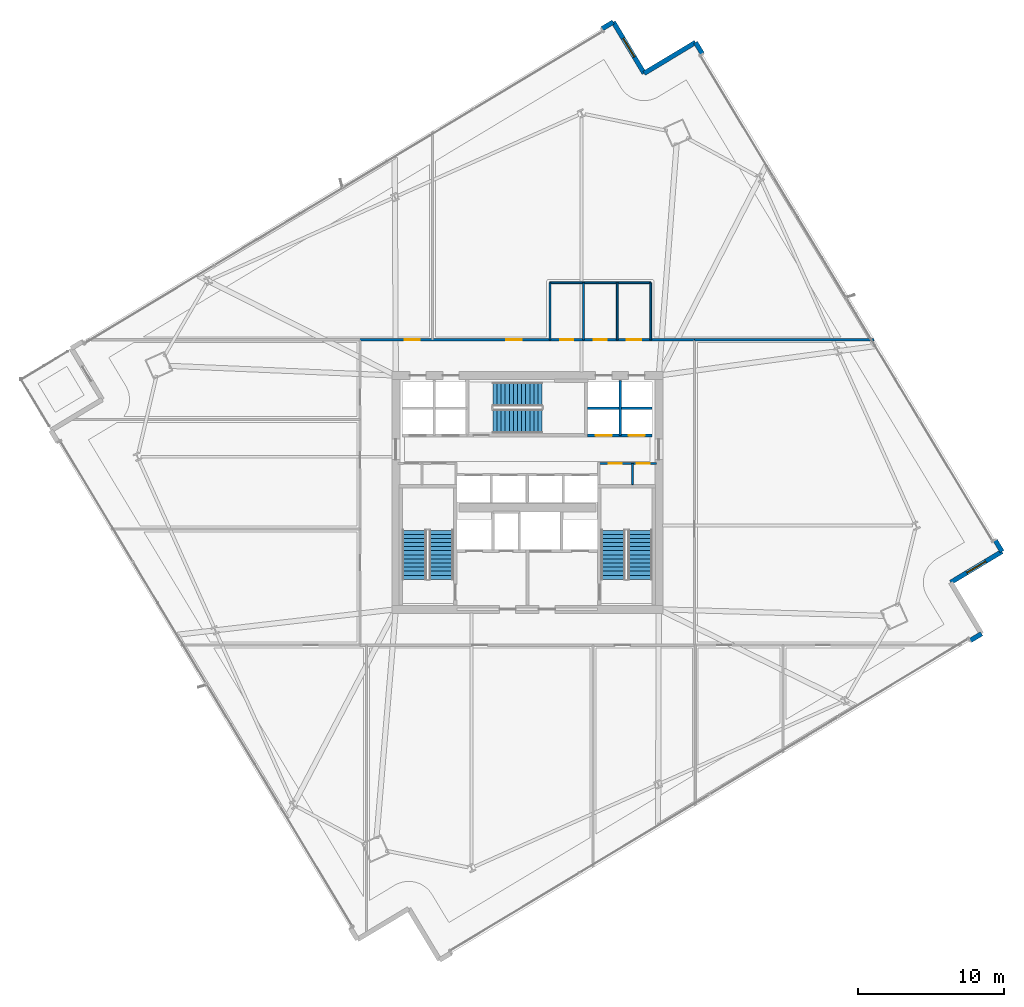
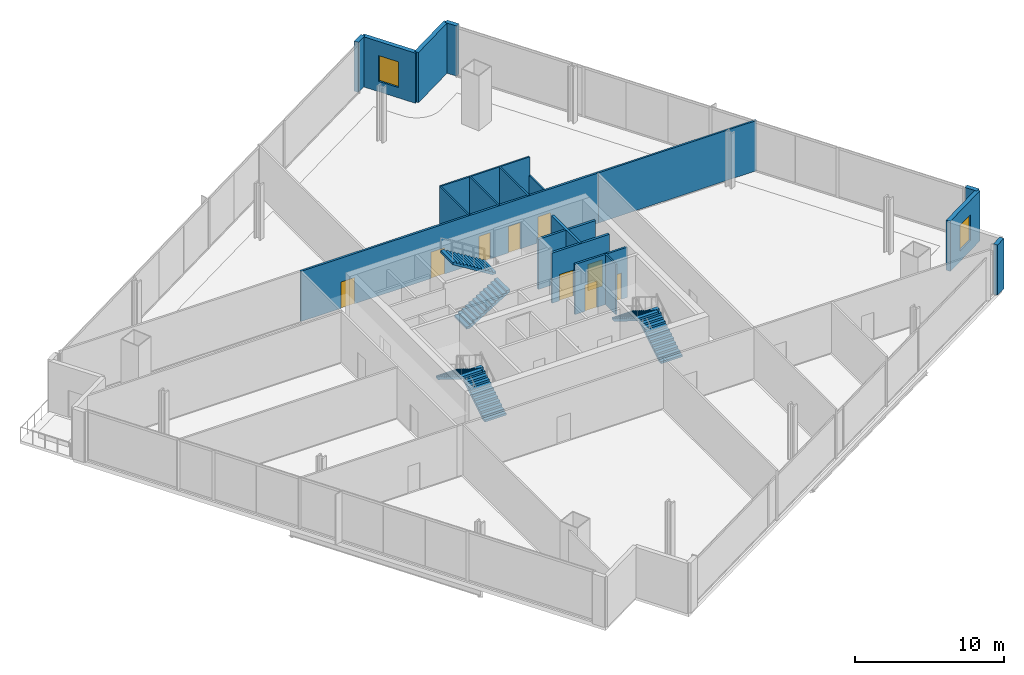
# One storey, part 25 of 30: 19 walls, 9 doors, 6 stair flights, 2 windows, 11 openings, 3 elements without a shape of their own.
"""IFC4 building model written with IfcOpenShell, lengths in metres."""

from ifc_helpers import new_model, si_unit, direction, frame, frame_2d, origin, place, context, subcontext, project, spatial, polyline, rectangle, outline, extrude, material, layer, layer_set, type_object, element, fill, aggregate, save


model = new_model("IFC4")

# Units and contexts
model_context = context("Model", 3, precision=1e-05, world=origin(), true_north=direction((0.0, 1.0)))
body_context = subcontext(model_context, "Body", "Model", "MODEL_VIEW")
ifc_project = project(units=[si_unit("LENGTHUNIT", "METRE"), si_unit("AREAUNIT", "SQUARE_METRE"), si_unit("VOLUMEUNIT", "CUBIC_METRE"), si_unit("PLANEANGLEUNIT", "RADIAN"), si_unit("MASSUNIT", "GRAM", prefix="KILO")], contexts=[model_context])

# Site, building, storey
site_placement = place(None, origin())
site = spatial("IfcSite", under=ifc_project, at=site_placement, CompositionType="ELEMENT")
building_placement = place(site_placement, origin())
building = spatial("IfcBuilding", under=site, at=building_placement, Name="Haldenkirk Collegiate Tower", CompositionType="ELEMENT")
storey_placement = place(building_placement, frame((0.0, 0.0, 131.699951171875)))
storey = spatial("IfcBuildingStorey", under=building, at=storey_placement, Name="L32", CompositionType="ELEMENT", Elevation=131.699951171875)

# Wall
ifc_material_1 = material(Name="Precast concrete f'c 40 MPa", Category="concrete")
ifc_layer_1 = layer(ifc_material_1, 0.320068359375)
ifc_layer_set_1 = layer_set([ifc_layer_1], Name="Precast concrete f'c 40 MPa")
wall_type_1 = type_object("IfcWallType", Name="WL-EXT-TWR-320", PredefinedType="STANDARD", material=ifc_layer_set_1)
wall_1_placement = place(storey_placement, frame((67.094482421875, 16.3271484375, 0.0), z_axis=(0.0, 0.0, 1.0), x_axis=(-0.856630082839, -0.51593110119, 0.0)))
element("IfcWall", 1, at=wall_1_placement, inside=storey, type_object=wall_type_1, Name="L32 precast corner pier SL", PredefinedType="STANDARD", context=body_context, shape_type="SweptSolid", body=[
    extrude(rectangle(XDim=0.900146484375, YDim=0.320068359375, at=frame_2d((0.4501953125, 0.0))), origin(), (0.0, 0.0, 1.0), 4.10009765625),
])

# Wall, opening, window
wall_2_placement = place(storey_placement, frame((68.4921875, 21.954345703125, 0.0), z_axis=(0.0, 0.0, 1.0), x_axis=(-0.856709059274, -0.515799949359, 0.0)))
wall_2 = element("IfcWall", 2, at=wall_2_placement, inside=storey, type_object=wall_type_1, Name="L32 bronze precast notch wall 03", PredefinedType="STANDARD", context=body_context, shape_type="SweptSolid", body=[
    extrude(rectangle(XDim=4.099853515625, YDim=0.320068359375, at=frame_2d((2.0498046875, 0.0))), origin(), (0.0, 0.0, 1.0), 4.10009765625),
])
opening_1_placement = place(wall_2_placement, frame((1.300048828125, 0.0, 0.85009765625)))
opening_1 = element("IfcOpeningElement", 3, at=opening_1_placement, cuts=wall_2, Name="Opening W-04", PredefinedType="OPENING", context=body_context, shape_type="SweptSolid", body=[
    extrude(rectangle(XDim=1.5, YDim=2.10009765625, at=frame_2d((0.75, 1.050048828125))), frame((0.0, 0.169921875, 0.0), z_axis=(0.0, -1.0, 0.0), x_axis=(1.0, 0.0, 0.0)), (0.0, 0.0, 1.0), 0.340087890625),
])
ifc_material_2 = material(Name="Low-E argon triple insulating glass", Category="glass")
ifc_layer_2 = layer(ifc_material_2, 0.090087890625)
ifc_layer_set_2 = layer_set([ifc_layer_2], Name="Low-E argon triple insulating glass")
window_type = type_object("IfcWindowType", Name="WN-Z2-1500X2100", PartitioningType="SINGLE_PANEL", PredefinedType="WINDOW", material=ifc_layer_set_2)
window_1_placement = place(opening_1_placement, origin())
window_1 = element("IfcWindow", 4, at=window_1_placement, inside=storey, type_object=window_type, Name="L32 precast-frame academic window 2", OverallHeight=2.10009765625, OverallWidth=1.5, PartitioningType="SINGLE_PANEL", PredefinedType="WINDOW", context=body_context, shape_type="SweptSolid", body=[
    extrude(rectangle(XDim=1.5, YDim=2.10009765625, at=frame_2d((0.75, 1.050048828125))), frame((0.0, 0.030029296875, 0.0), z_axis=(0.0, -1.0, 0.0), x_axis=(1.0, 0.0, 0.0)), (0.0, 0.0, 1.0), 0.06005859375),
])
fill(opening_1, window_1)

# Walls
for number, where, z_axis, x_axis, name in (
    (5, (47.5126953125, 56.801513671875, 0.0), (0.0, 0.0, 1.0), (0.515732006809, -0.856749961863, 0.0), "L32 precast corner pier EL"),
    (6, (68.028076171875, 22.725341796875, 0.0), (0.0, 0.0, 1.0), (0.515732006809, -0.856749961863, 0.0), "L32 precast corner pier ER"),
):
    element("IfcWall", number, at=place(storey_placement, frame(where, z_axis=z_axis, x_axis=x_axis)), inside=storey, type_object=wall_type_1, Name=name, PredefinedType="STANDARD", context=body_context, shape_type="SweptSolid", body=[
        extrude(rectangle(XDim=0.89990234375, YDim=0.320068359375, at=frame_2d((0.449951171875, 0.0))), origin(), (0.0, 0.0, 1.0), 4.10009765625),
    ])
wall_3_placement = place(storey_placement, frame((44.0, 54.6865234375, 0.0), z_axis=(0.0, 0.0, 1.0), x_axis=(0.856698589077, 0.515817339253, 0.0)))
element("IfcWall", 7, at=wall_3_placement, inside=storey, type_object=wall_type_1, Name="L32 bronze precast notch wall 05", PredefinedType="STANDARD", context=body_context, shape_type="SweptSolid", body=[
    extrude(rectangle(XDim=4.100341796875, YDim=0.320068359375, at=frame_2d((2.05029296875, 0.0))), origin(), (0.0, 0.0, 1.0), 4.10009765625),
])

# Wall, opening, window
wall_4_placement = place(storey_placement, frame((41.885498046875, 58.19921875, 0.0), z_axis=(0.0, 0.0, 1.0), x_axis=(0.515729930739, -0.856751211578, 0.0)))
wall_4 = element("IfcWall", 8, at=wall_4_placement, inside=storey, type_object=wall_type_1, Name="L32 bronze precast notch wall 06", PredefinedType="STANDARD", context=body_context, shape_type="SweptSolid", body=[
    extrude(rectangle(XDim=4.10009765625, YDim=0.320068359375, at=frame_2d((2.050048828125, 0.0))), origin(), (0.0, 0.0, 1.0), 4.10009765625),
])
opening_2_placement = place(wall_4_placement, frame((1.300048828125, 0.0, 0.85009765625)))
opening_2 = element("IfcOpeningElement", 9, at=opening_2_placement, cuts=wall_4, Name="Opening W-04", PredefinedType="OPENING", context=body_context, shape_type="SweptSolid", body=[
    extrude(rectangle(XDim=1.5, YDim=2.10009765625, at=frame_2d((0.75, 1.050048828125))), frame((0.0, 0.169921875, 0.0), z_axis=(0.0, -1.0, 0.0), x_axis=(1.0, 0.0, 0.0)), (0.0, 0.0, 1.0), 0.340087890625),
])
window_2_placement = place(opening_2_placement, origin())
window_2 = element("IfcWindow", 10, at=window_2_placement, inside=storey, type_object=window_type, Name="L32 precast-frame academic window 5", OverallHeight=2.10009765625, OverallWidth=1.5, PartitioningType="SINGLE_PANEL", PredefinedType="WINDOW", context=body_context, shape_type="SweptSolid", body=[
    extrude(rectangle(XDim=1.5, YDim=2.10009765625, at=frame_2d((0.75, 1.050048828125))), frame((0.0, 0.030029296875, 0.0), z_axis=(0.0, -1.0, 0.0), x_axis=(1.0, 0.0, 0.0)), (0.0, 0.0, 1.0), 0.06005859375),
])
fill(opening_2, window_2)

# Wall
wall_5_placement = place(storey_placement, frame((41.114501953125, 57.735107421875, 0.0), z_axis=(0.0, 0.0, 1.0), x_axis=(0.856749961863, 0.515732006809, 0.0)))
element("IfcWall", 11, at=wall_5_placement, inside=storey, type_object=wall_type_1, Name="L32 precast corner pier NR", PredefinedType="STANDARD", context=body_context, shape_type="SweptSolid", body=[
    extrude(rectangle(XDim=0.89990234375, YDim=0.320068359375, at=frame_2d((0.449951171875, 0.0))), origin(), (0.0, 0.0, 1.0), 4.10009765625),
])

# Wall, openings, doors
ifc_material_3 = material(Name="Acoustic fire-rated gypsum partition", Category="concrete")
ifc_layer_3 = layer(ifc_material_3, 0.159912109375)
ifc_layer_set_3 = layer_set([ifc_layer_3], Name="Acoustic fire-rated gypsum partition")
wall_type_2 = type_object("IfcWallType", Name="WL-INT-CORR-160", PredefinedType="PARTITIONING", material=ifc_layer_set_3)
wall_6_placement = place(storey_placement, frame((40.800048828125, 27.97998046875, 0.0), z_axis=(0.0, 0.0, 1.0), x_axis=(1.0, 0.0, 0.0)))
wall_6 = element("IfcWall", 12, at=wall_6_placement, inside=storey, type_object=wall_type_2, Name="L32 interior partition IW-L32-VCSE-N", PredefinedType="PARTITIONING", context=body_context, shape_type="SweptSolid", body=[
    extrude(rectangle(XDim=4.050048828125, YDim=0.159912109375, at=frame_2d((2.02490234375, 0.0))), origin(), (0.0, 0.0, 1.0), 4.10009765625),
])
opening_3_placement = place(wall_6_placement, frame((0.77001953125, 0.0, 0.0)))
opening_3 = element("IfcOpeningElement", 13, at=opening_3_placement, cuts=wall_6, Name="Opening D-11", PredefinedType="OPENING", context=body_context, shape_type="SweptSolid", body=[
    extrude(rectangle(XDim=0.89990234375, YDim=2.14990234375, at=frame_2d((0.449951171875, 1.074951171875))), frame((0.0, 0.08984375, 0.0), z_axis=(0.0, -1.0, 0.0), x_axis=(1.0, 0.0, 0.0)), (0.0, 0.0, 1.0), 0.179931640625),
])
opening_4_placement = place(wall_6_placement, frame((2.679931640625, 0.0, 0.0)))
opening_4 = element("IfcOpeningElement", 14, at=opening_4_placement, cuts=wall_6, Name="Opening D-11", PredefinedType="OPENING", context=body_context, shape_type="SweptSolid", body=[
    extrude(rectangle(XDim=0.89990234375, YDim=2.14990234375, at=frame_2d((0.449951171875, 1.074951171875))), frame((0.0, 0.08984375, 0.0), z_axis=(0.0, -1.0, 0.0), x_axis=(1.0, 0.0, 0.0)), (0.0, 0.0, 1.0), 0.179931640625),
])
ifc_material_4 = material(Name="Solid-core architectural oak fire door", Category="wood")
ifc_layer_4 = layer(ifc_material_4, 0.06005859375)
ifc_layer_set_4 = layer_set([ifc_layer_4], Name="Solid-core architectural oak fire door")
door_type_1 = type_object("IfcDoorType", Name="DR-INT-FD60-900", OperationType="NOTDEFINED", PredefinedType="DOOR", material=ifc_layer_set_4)
door_1_placement = place(opening_3_placement, origin())
door_1 = element("IfcDoor", 15, at=door_1_placement, inside=storey, type_object=door_type_1, Name="L32 core archive door", OperationType="SINGLE_SWING_RIGHT", OverallHeight=2.14990234375, OverallWidth=0.89990234375, PredefinedType="DOOR", context=body_context, shape_type="SweptSolid", body=[
    extrude(rectangle(XDim=0.89990234375, YDim=2.14990234375, at=frame_2d((0.449951171875, 1.074951171875))), frame((0.0, 0.02490234375, 0.0), z_axis=(0.0, -1.0, 0.0), x_axis=(1.0, 0.0, 0.0)), (0.0, 0.0, 1.0), 0.050048828125),
])
fill(opening_3, door_1)
door_2_placement = place(opening_4_placement, origin())
door_2 = element("IfcDoor", 16, at=door_2_placement, inside=storey, type_object=door_type_1, Name="L32 core telecom door", OperationType="SINGLE_SWING_LEFT", OverallHeight=2.14990234375, OverallWidth=0.89990234375, PredefinedType="DOOR", context=body_context, shape_type="SweptSolid", body=[
    extrude(rectangle(XDim=0.89990234375, YDim=2.14990234375, at=frame_2d((0.449951171875, 1.074951171875))), frame((0.0, 0.02490234375, 0.0), z_axis=(0.0, -1.0, 0.0), x_axis=(1.0, 0.0, 0.0)), (0.0, 0.0, 1.0), 0.050048828125),
])
fill(opening_4, door_2)

wall_7_placement = place(storey_placement, frame((24.5, 36.449951171875, 0.0), z_axis=(0.0, 0.0, 1.0), x_axis=(1.0, 0.0, 0.0)))
wall_7 = element("IfcWall", 17, at=wall_7_placement, inside=storey, type_object=wall_type_2, Name="L32 interior partition IW-L32-CN", PredefinedType="PARTITIONING", context=body_context, shape_type="SweptSolid", body=[
    extrude(rectangle(XDim=23.0, YDim=0.159912109375, at=frame_2d((11.5, 0.0))), origin(), (0.0, 0.0, 1.0), 4.10009765625),
])
opening_5_placement = place(wall_7_placement, frame((13.75, 0.0, 0.0)))
opening_5 = element("IfcOpeningElement", 18, at=opening_5_placement, cuts=wall_7, Name="Opening D-13", PredefinedType="OPENING", context=body_context, shape_type="SweptSolid", body=[
    extrude(rectangle(XDim=0.89990234375, YDim=2.14990234375, at=frame_2d((0.449951171875, 1.074951171875))), frame((0.0, 0.08984375, 0.0), z_axis=(0.0, -1.0, 0.0), x_axis=(1.0, 0.0, 0.0)), (0.0, 0.0, 1.0), 0.179931640625),
])
opening_6_placement = place(wall_7_placement, frame((16.050048828125, 0.0, 0.0)))
opening_6 = element("IfcOpeningElement", 19, at=opening_6_placement, cuts=wall_7, Name="Opening D-13", PredefinedType="OPENING", context=body_context, shape_type="SweptSolid", body=[
    extrude(rectangle(XDim=0.89990234375, YDim=2.14990234375, at=frame_2d((0.449951171875, 1.074951171875))), frame((0.0, 0.08984375, 0.0), z_axis=(0.0, -1.0, 0.0), x_axis=(1.0, 0.0, 0.0)), (0.0, 0.0, 1.0), 0.179931640625),
])
opening_7_placement = place(wall_7_placement, frame((18.300048828125, 0.0, 0.0)))
opening_7 = element("IfcOpeningElement", 20, at=opening_7_placement, cuts=wall_7, Name="Opening D-14", PredefinedType="OPENING", context=body_context, shape_type="SweptSolid", body=[
    extrude(rectangle(XDim=1.0, YDim=2.14990234375, at=frame_2d((0.5, 1.074951171875))), frame((0.0, 0.08984375, 0.0), z_axis=(0.0, -1.0, 0.0), x_axis=(1.0, 0.0, 0.0)), (0.0, 0.0, 1.0), 0.179931640625),
])
opening_8_placement = place(wall_7_placement, frame((3.10107421875, 0.0, 0.0)))
opening_8 = element("IfcOpeningElement", 21, at=opening_8_placement, cuts=wall_7, Name="Opening D-09", PredefinedType="OPENING", context=body_context, shape_type="SweptSolid", body=[
    extrude(rectangle(XDim=1.050048828125, YDim=2.14990234375, at=frame_2d((0.52490234375, 1.074951171875))), frame((0.0, 0.08984375, 0.0), z_axis=(0.0, -1.0, 0.0), x_axis=(1.0, 0.0, 0.0)), (0.0, 0.0, 1.0), 0.179931640625),
])
opening_9_placement = place(wall_7_placement, frame((10.054931640625, 0.0, 0.0)))
opening_9 = element("IfcOpeningElement", 22, at=opening_9_placement, cuts=wall_7, Name="Opening D-09", PredefinedType="OPENING", context=body_context, shape_type="SweptSolid", body=[
    extrude(rectangle(XDim=1.050048828125, YDim=2.14990234375, at=frame_2d((0.52490234375, 1.074951171875))), frame((0.0, 0.08984375, 0.0), z_axis=(0.0, -1.0, 0.0), x_axis=(1.0, 0.0, 0.0)), (0.0, 0.0, 1.0), 0.179931640625),
])
ifc_layer_5 = layer(ifc_material_4, 0.06005859375)
ifc_layer_set_5 = layer_set([ifc_layer_5], Name="Solid-core architectural oak fire door")
door_type_2 = type_object("IfcDoorType", Name="DR-INT-ACC-1000", OperationType="NOTDEFINED", PredefinedType="DOOR", material=ifc_layer_set_5)
door_3_placement = place(opening_7_placement, origin())
door_3 = element("IfcDoor", 23, at=door_3_placement, inside=storey, type_object=door_type_2, Name="L32 Accessible WC door", OperationType="SINGLE_SWING_RIGHT", OverallHeight=2.14990234375, OverallWidth=1.0, PredefinedType="DOOR", context=body_context, shape_type="SweptSolid", body=[
    extrude(rectangle(XDim=1.0, YDim=2.14990234375, at=frame_2d((0.5, 1.074951171875))), frame((0.0, 0.02490234375, 0.0), z_axis=(0.0, -1.0, 0.0), x_axis=(1.0, 0.0, 0.0)), (0.0, 0.0, 1.0), 0.050048828125),
])
fill(opening_7, door_3)
ifc_layer_6 = layer(ifc_material_4, 0.06005859375)
ifc_layer_set_6 = layer_set([ifc_layer_6], Name="Solid-core architectural oak fire door")
door_type_3 = type_object("IfcDoorType", Name="DR-INT-FD60-1050", OperationType="NOTDEFINED", PredefinedType="DOOR", material=ifc_layer_set_6)
door_4_placement = place(opening_8_placement, origin())
door_4 = element("IfcDoor", 24, at=door_4_placement, inside=storey, type_object=door_type_3, Name="L32 Tutorial Seminar Room 6 door", OperationType="SINGLE_SWING_RIGHT", OverallHeight=2.14990234375, OverallWidth=1.050048828125, PredefinedType="DOOR", context=body_context, shape_type="SweptSolid", body=[
    extrude(rectangle(XDim=1.050048828125, YDim=2.14990234375, at=frame_2d((0.52490234375, 1.074951171875))), frame((0.0, 0.02490234375, 0.0), z_axis=(0.0, -1.0, 0.0), x_axis=(1.0, 0.0, 0.0)), (0.0, 0.0, 1.0), 0.050048828125),
])
fill(opening_8, door_4)
door_5_placement = place(opening_9_placement, origin())
door_5 = element("IfcDoor", 25, at=door_5_placement, inside=storey, type_object=door_type_3, Name="L32 Faculty Office 7 door", OperationType="SINGLE_SWING_LEFT", OverallHeight=2.14990234375, OverallWidth=1.050048828125, PredefinedType="DOOR", context=body_context, shape_type="SweptSolid", body=[
    extrude(rectangle(XDim=1.050048828125, YDim=2.14990234375, at=frame_2d((0.52490234375, 1.074951171875))), frame((0.0, 0.02490234375, 0.0), z_axis=(0.0, -1.0, 0.0), x_axis=(1.0, 0.0, 0.0)), (0.0, 0.0, 1.0), 0.050048828125),
])
fill(opening_9, door_5)
ifc_layer_7 = layer(ifc_material_4, 0.06005859375)
ifc_layer_set_7 = layer_set([ifc_layer_7], Name="Solid-core architectural oak fire door")
door_type_4 = type_object("IfcDoorType", Name="DR-INT-STD-900", OperationType="NOTDEFINED", PredefinedType="DOOR", material=ifc_layer_set_7)
door_6_placement = place(opening_5_placement, origin())
door_6 = element("IfcDoor", 26, at=door_6_placement, inside=storey, type_object=door_type_4, Name="L32 Male WC door", OperationType="SINGLE_SWING_RIGHT", OverallHeight=2.14990234375, OverallWidth=0.89990234375, PredefinedType="DOOR", context=body_context, shape_type="SweptSolid", body=[
    extrude(rectangle(XDim=0.89990234375, YDim=2.14990234375, at=frame_2d((0.449951171875, 1.074951171875))), frame((0.0, 0.02490234375, 0.0), z_axis=(0.0, -1.0, 0.0), x_axis=(1.0, 0.0, 0.0)), (0.0, 0.0, 1.0), 0.050048828125),
])
fill(opening_5, door_6)
door_7_placement = place(opening_6_placement, origin())
door_7 = element("IfcDoor", 27, at=door_7_placement, inside=storey, type_object=door_type_4, Name="L32 Female WC door", OperationType="SINGLE_SWING_LEFT", OverallHeight=2.14990234375, OverallWidth=0.89990234375, PredefinedType="DOOR", context=body_context, shape_type="SweptSolid", body=[
    extrude(rectangle(XDim=0.89990234375, YDim=2.14990234375, at=frame_2d((0.449951171875, 1.074951171875))), frame((0.0, 0.02490234375, 0.0), z_axis=(0.0, -1.0, 0.0), x_axis=(1.0, 0.0, 0.0)), (0.0, 0.0, 1.0), 0.050048828125),
])
fill(opening_6, door_7)

# Wall
ifc_layer_8 = layer(ifc_material_3, 0.139892578125)
ifc_layer_set_8 = layer_set([ifc_layer_8], Name="Acoustic fire-rated gypsum partition")
wall_type_3 = type_object("IfcWallType", Name="WL-INT-DIV-140", PredefinedType="PARTITIONING", material=ifc_layer_set_8)
wall_8_placement = place(storey_placement, frame((47.449951171875, 36.449951171875, 0.0), z_axis=(0.0, 0.0, 1.0), x_axis=(1.0, 0.0, 0.0)))
element("IfcWall", 28, at=wall_8_placement, inside=storey, type_object=wall_type_3, Name="L32 interior partition IW-L32-BEN", PredefinedType="PARTITIONING", context=body_context, shape_type="SweptSolid", body=[
    extrude(rectangle(XDim=12.2685546875, YDim=0.139892578125, at=frame_2d((6.13427734375, 0.0))), origin(), (0.0, 0.0, 1.0), 4.10009765625),
])

# Wall, openings, doors
ifc_material_5 = material(Name="Fire-rated gypsum shaftboard assembly", Category="concrete")
ifc_layer_9 = layer(ifc_material_5, 0.179931640625)
ifc_layer_set_9 = layer_set([ifc_layer_9], Name="Fire-rated gypsum shaftboard assembly")
wall_type_4 = type_object("IfcWallType", Name="WL-INT-SHAFT-180", PredefinedType="PARTITIONING", material=ifc_layer_set_9)
wall_9_placement = place(storey_placement, frame((40.1201171875, 29.89990234375, 0.0), z_axis=(0.0, 0.0, 1.0), x_axis=(1.0, 0.0, 0.0)))
wall_9 = element("IfcWall", 29, at=wall_9_placement, inside=storey, type_object=wall_type_4, Name="L32 interior partition IW-L32-PMS", PredefinedType="PARTITIONING", context=body_context, shape_type="SweptSolid", body=[
    extrude(rectangle(XDim=4.429931640625, YDim=0.179931640625, at=frame_2d((2.21484375, 0.0))), origin(), (0.0, 0.0, 1.0), 4.10009765625),
])
opening_10_placement = place(wall_9_placement, frame((0.56494140625, 0.0, 0.0)))
opening_10 = element("IfcOpeningElement", 30, at=opening_10_placement, cuts=wall_9, Name="Opening LD-11", PredefinedType="OPENING", context=body_context, shape_type="SweptSolid", body=[
    extrude(rectangle(XDim=1.10009765625, YDim=2.14990234375, at=frame_2d((0.550048828125, 1.074951171875))), frame((0.0, 0.099853515625, 0.0), z_axis=(0.0, -1.0, 0.0), x_axis=(1.0, 0.0, 0.0)), (0.0, 0.0, 1.0), 0.199951171875),
])
opening_11_placement = place(wall_9_placement, frame((2.81494140625, 0.0, 0.0)))
opening_11 = element("IfcOpeningElement", 31, at=opening_11_placement, cuts=wall_9, Name="Opening LD-11", PredefinedType="OPENING", context=body_context, shape_type="SweptSolid", body=[
    extrude(rectangle(XDim=1.10009765625, YDim=2.14990234375, at=frame_2d((0.550048828125, 1.074951171875))), frame((0.0, 0.099853515625, 0.0), z_axis=(0.0, -1.0, 0.0), x_axis=(1.0, 0.0, 0.0)), (0.0, 0.0, 1.0), 0.199951171875),
])
ifc_material_6 = material(Name="Brushed architectural stainless steel", Category="steel")
ifc_layer_10 = layer(ifc_material_6, 0.06005859375)
ifc_layer_set_10 = layer_set([ifc_layer_10], Name="Brushed architectural stainless steel")
door_type_5 = type_object("IfcDoorType", Name="LD-PASS-1100", OperationType="NOTDEFINED", PredefinedType="DOOR", material=ifc_layer_set_10)
door_8_placement = place(opening_10_placement, origin())
door_8 = element("IfcDoor", 32, at=door_8_placement, inside=storey, type_object=door_type_5, Name="L32 Elevator PM1 sliding landing door", OperationType="SLIDING_TO_LEFT", OverallHeight=2.14990234375, OverallWidth=1.10009765625, PredefinedType="DOOR", context=body_context, shape_type="SweptSolid", body=[
    extrude(rectangle(XDim=1.10009765625, YDim=2.14990234375, at=frame_2d((0.550048828125, 1.074951171875))), frame((0.0, 0.02490234375, 0.0), z_axis=(0.0, -1.0, 0.0), x_axis=(1.0, 0.0, 0.0)), (0.0, 0.0, 1.0), 0.050048828125),
])
fill(opening_10, door_8)
door_9_placement = place(opening_11_placement, origin())
door_9 = element("IfcDoor", 33, at=door_9_placement, inside=storey, type_object=door_type_5, Name="L32 Elevator PM2 sliding landing door", OperationType="SLIDING_TO_LEFT", OverallHeight=2.14990234375, OverallWidth=1.10009765625, PredefinedType="DOOR", context=body_context, shape_type="SweptSolid", body=[
    extrude(rectangle(XDim=1.10009765625, YDim=2.14990234375, at=frame_2d((0.550048828125, 1.074951171875))), frame((0.0, 0.02490234375, 0.0), z_axis=(0.0, -1.0, 0.0), x_axis=(1.0, 0.0, 0.0)), (0.0, 0.0, 1.0), 0.050048828125),
])
fill(opening_11, door_9)

# Walls
wall_10_placement = place(storey_placement, frame((40.1201171875, 31.75, 0.0), z_axis=(0.0, 0.0, 1.0), x_axis=(1.0, 0.0, 0.0)))
element("IfcWall", 34, at=wall_10_placement, inside=storey, type_object=wall_type_4, Name="L32 interior partition IW-L32-PMM", PredefinedType="PARTITIONING", context=body_context, shape_type="SweptSolid", body=[
    extrude(rectangle(XDim=4.429931640625, YDim=0.179931640625, at=frame_2d((2.21484375, 0.0))), origin(), (0.0, 0.0, 1.0), 4.10009765625),
])
wall_11_placement = place(storey_placement, frame((42.3701171875, 29.89990234375, 0.0), z_axis=(0.0, 0.0, 1.0), x_axis=(0.0, 1.0, 0.0)))
element("IfcWall", 35, at=wall_11_placement, inside=storey, type_object=wall_type_4, Name="L32 interior partition IW-L32-PMV", PredefinedType="PARTITIONING", context=body_context, shape_type="SweptSolid", body=[
    extrude(rectangle(XDim=3.75, YDim=0.179931640625, at=frame_2d((1.875, 0.0))), origin(), (0.0, 0.0, 1.0), 4.10009765625),
])
ifc_layer_11 = layer(ifc_material_3, 0.1201171875)
ifc_layer_set_11 = layer_set([ifc_layer_11], Name="Acoustic fire-rated gypsum partition")
wall_type_5 = type_object("IfcWallType", Name="WL-INT-WET-120", PredefinedType="PARTITIONING", material=ifc_layer_set_11)
wall_12_placement = place(storey_placement, frame((43.199951171875, 26.5400390625, 0.0), z_axis=(0.0, 0.0, 1.0), x_axis=(0.0, 1.0, 0.0)))
element("IfcWall", 36, at=wall_12_placement, inside=storey, type_object=wall_type_5, Name="L32 interior partition IW-L32-VCSE-M", PredefinedType="PARTITIONING", context=body_context, shape_type="SweptSolid", body=[
    extrude(rectangle(XDim=1.43994140625, YDim=0.1201171875, at=frame_2d((0.719970703125, 0.0))), origin(), (0.0, 0.0, 1.0), 4.10009765625),
])
for number, where, z_axis, x_axis, name in (
    (37, (37.550048828125, 36.449951171875, 0.0), (0.0, 0.0, 1.0), (0.0, 1.0, 0.0), "L32 interior partition IW-L32-WCW"),
    (38, (39.85009765625, 36.449951171875, 0.0), (0.0, 0.0, 1.0), (0.0, 1.0, 0.0), "L32 interior partition IW-L32-WC1"),
    (39, (42.14990234375, 36.449951171875, 0.0), (0.0, 0.0, 1.0), (0.0, 1.0, 0.0), "L32 interior partition IW-L32-WC2"),
):
    element("IfcWall", number, at=place(storey_placement, frame(where, z_axis=z_axis, x_axis=x_axis)), inside=storey, type_object=wall_type_5, Name=name, PredefinedType="PARTITIONING", context=body_context, shape_type="SweptSolid", body=[
        extrude(rectangle(XDim=3.900146484375, YDim=0.1201171875, at=frame_2d((1.9501953125, 0.0))), origin(), (0.0, 0.0, 1.0), 4.10009765625),
    ])
wall_13_placement = place(storey_placement, frame((44.449951171875, 36.449951171875, 0.0), z_axis=(0.0, 0.0, 1.0), x_axis=(0.0, 1.0, 0.0)))
element("IfcWall", 40, at=wall_13_placement, inside=storey, type_object=wall_type_5, Name="L32 interior partition IW-L32-WCE", PredefinedType="PARTITIONING", context=body_context, shape_type="SweptSolid", body=[
    extrude(rectangle(XDim=3.900146484375, YDim=0.1201171875, at=frame_2d((1.9501953125, 0.0))), origin(), (0.0, 0.0, 1.0), 2.594970703125),
])
wall_14_placement = place(storey_placement, frame((37.550048828125, 40.35009765625, 0.0), z_axis=(0.0, 0.0, 1.0), x_axis=(1.0, 0.0, 0.0)))
element("IfcWall", 41, at=wall_14_placement, inside=storey, type_object=wall_type_5, Name="L32 interior partition IW-L32-WCB", PredefinedType="PARTITIONING", context=body_context, shape_type="SweptSolid", body=[
    extrude(rectangle(XDim=6.89990234375, YDim=0.1201171875, at=frame_2d((3.449951171875, 0.0))), origin(), (0.0, 0.0, 1.0), 4.10009765625),
])

# Stair, stair flights
ifc_material_7 = material(Name="Concrete f'c 40 MPa", Category="concrete")
stair_type = type_object("IfcStairType", Name="STR-DOGLEG-1650", PredefinedType="HALF_TURN_STAIR", material=ifc_material_7)
stair_1_placement = place(storey_placement, origin())
stair_1 = element("IfcStair", 42, at=stair_1_placement, inside=storey, type_object=stair_type, Name="L32 Core Exit Stair ST-1", PredefinedType="HALF_TURN_STAIR")
stair_flight_type = type_object("IfcStairFlightType", Name="STF-FLIGHT-1650", PredefinedType="STRAIGHT", material=ifc_material_7)
stair_flight_1_placement = place(storey_placement, frame((30.125, 20.050048828125, 0.0), z_axis=(0.0, 0.0, 1.0), x_axis=(0.0, 1.0, 0.0)))
stair_flight_1 = element("IfcStairFlight", 43, at=stair_flight_1_placement, type_object=stair_flight_type, Name="ST-1 flight 1", NumberOfRisers=13, NumberOfTreads=12, PredefinedType="STRAIGHT", RiserHeight=0.173076923, TreadLength=0.28, context=body_context, shape_type="SweptSolid", body=[
    extrude(outline(polyline([(0.0, 0.0), (0.0, 0.173095703125), (0.280029296875, 0.173095703125), (0.280029296875, 0.34619140625), (0.56005859375, 0.34619140625), (0.56005859375, 0.519287109375), (0.840087890625, 0.519287109375), (0.840087890625, 0.6923828125), (1.1201171875, 0.6923828125), (1.1201171875, 0.865478515625), (1.39990234375, 0.865478515625), (1.39990234375, 1.03857421875), (1.679931640625, 1.03857421875), (1.679931640625, 1.21142578125), (1.9599609375, 1.21142578125), (1.9599609375, 1.384521484375), (2.239990234375, 1.384521484375), (2.239990234375, 1.5576171875), (2.52001953125, 1.5576171875), (2.52001953125, 1.730712890625), (2.800048828125, 1.730712890625), (2.800048828125, 1.90380859375), (3.080078125, 1.90380859375), (3.080078125, 2.076904296875), (3.360107421875, 2.076904296875), (3.360107421875, 2.25), (3.360107421875, 1.900634765625), (0.28515625, 0.0), (0.0, 0.0)])), frame((0.0, 0.824951171875, 0.0), z_axis=(0.0, -1.0, 0.0), x_axis=(1.0, 0.0, 0.0)), (0.0, 0.0, 1.0), 1.64990234375),
])
stair_flight_2_placement = place(storey_placement, frame((28.27490234375, 23.409912109375, 2.25), z_axis=(0.0, 0.0, 1.0), x_axis=(0.0, -1.0, 0.0)))
stair_flight_2 = element("IfcStairFlight", 44, at=stair_flight_2_placement, type_object=stair_flight_type, Name="ST-1 flight 2", NumberOfRisers=13, NumberOfTreads=12, PredefinedType="STRAIGHT", RiserHeight=0.173076923, TreadLength=0.28, context=body_context, shape_type="SweptSolid", body=[
    extrude(outline(polyline([(0.0, 0.0), (0.0, 0.173095703125), (0.280029296875, 0.173095703125), (0.280029296875, 0.34619140625), (0.56005859375, 0.34619140625), (0.56005859375, 0.519287109375), (0.840087890625, 0.519287109375), (0.840087890625, 0.6923828125), (1.1201171875, 0.6923828125), (1.1201171875, 0.865478515625), (1.39990234375, 0.865478515625), (1.39990234375, 1.03857421875), (1.679931640625, 1.03857421875), (1.679931640625, 1.21142578125), (1.9599609375, 1.21142578125), (1.9599609375, 1.384521484375), (2.239990234375, 1.384521484375), (2.239990234375, 1.5576171875), (2.52001953125, 1.5576171875), (2.52001953125, 1.730712890625), (2.800048828125, 1.730712890625), (2.800048828125, 1.90380859375), (3.080078125, 1.90380859375), (3.080078125, 2.076904296875), (3.360107421875, 2.076904296875), (3.360107421875, 2.25), (3.360107421875, 1.900634765625), (0.28515625, 0.0), (0.0, 0.0)])), frame((0.0, 0.824951171875, 0.0), z_axis=(0.0, -1.0, 0.0), x_axis=(1.0, 0.0, 0.0)), (0.0, 0.0, 1.0), 1.64990234375),
])
aggregate(stair_1, [stair_flight_1, stair_flight_2])

stair_2_placement = place(storey_placement, origin())
stair_2 = element("IfcStair", 45, at=stair_2_placement, inside=storey, type_object=stair_type, Name="L32 Core Exit Stair ST-2", PredefinedType="HALF_TURN_STAIR")
stair_flight_3_placement = place(storey_placement, frame((43.72509765625, 20.050048828125, 0.0), z_axis=(0.0, 0.0, 1.0), x_axis=(0.0, 1.0, 0.0)))
stair_flight_3 = element("IfcStairFlight", 46, at=stair_flight_3_placement, type_object=stair_flight_type, Name="ST-2 flight 1", NumberOfRisers=13, NumberOfTreads=12, PredefinedType="STRAIGHT", RiserHeight=0.173076923, TreadLength=0.28, context=body_context, shape_type="SweptSolid", body=[
    extrude(outline(polyline([(0.0, 0.0), (0.0, 0.173095703125), (0.280029296875, 0.173095703125), (0.280029296875, 0.34619140625), (0.56005859375, 0.34619140625), (0.56005859375, 0.519287109375), (0.840087890625, 0.519287109375), (0.840087890625, 0.6923828125), (1.1201171875, 0.6923828125), (1.1201171875, 0.865478515625), (1.39990234375, 0.865478515625), (1.39990234375, 1.03857421875), (1.679931640625, 1.03857421875), (1.679931640625, 1.21142578125), (1.9599609375, 1.21142578125), (1.9599609375, 1.384521484375), (2.239990234375, 1.384521484375), (2.239990234375, 1.5576171875), (2.52001953125, 1.5576171875), (2.52001953125, 1.730712890625), (2.800048828125, 1.730712890625), (2.800048828125, 1.90380859375), (3.080078125, 1.90380859375), (3.080078125, 2.076904296875), (3.360107421875, 2.076904296875), (3.360107421875, 2.25), (3.360107421875, 1.900634765625), (0.28515625, 0.0), (0.0, 0.0)])), frame((0.0, 0.824951171875, 0.0), z_axis=(0.0, -1.0, 0.0), x_axis=(1.0, 0.0, 0.0)), (0.0, 0.0, 1.0), 1.64990234375),
])
stair_flight_4_placement = place(storey_placement, frame((41.875, 23.409912109375, 2.25), z_axis=(0.0, 0.0, 1.0), x_axis=(0.0, -1.0, 0.0)))
stair_flight_4 = element("IfcStairFlight", 47, at=stair_flight_4_placement, type_object=stair_flight_type, Name="ST-2 flight 2", NumberOfRisers=13, NumberOfTreads=12, PredefinedType="STRAIGHT", RiserHeight=0.173076923, TreadLength=0.28, context=body_context, shape_type="SweptSolid", body=[
    extrude(outline(polyline([(0.0, 0.0), (0.0, 0.173095703125), (0.280029296875, 0.173095703125), (0.280029296875, 0.34619140625), (0.56005859375, 0.34619140625), (0.56005859375, 0.519287109375), (0.840087890625, 0.519287109375), (0.840087890625, 0.6923828125), (1.1201171875, 0.6923828125), (1.1201171875, 0.865478515625), (1.39990234375, 0.865478515625), (1.39990234375, 1.03857421875), (1.679931640625, 1.03857421875), (1.679931640625, 1.21142578125), (1.9599609375, 1.21142578125), (1.9599609375, 1.384521484375), (2.239990234375, 1.384521484375), (2.239990234375, 1.5576171875), (2.52001953125, 1.5576171875), (2.52001953125, 1.730712890625), (2.800048828125, 1.730712890625), (2.800048828125, 1.90380859375), (3.080078125, 1.90380859375), (3.080078125, 2.076904296875), (3.360107421875, 2.076904296875), (3.360107421875, 2.25), (3.360107421875, 1.900634765625), (0.28515625, 0.0), (0.0, 0.0)])), frame((0.0, 0.824951171875, 0.0), z_axis=(0.0, -1.0, 0.0), x_axis=(1.0, 0.0, 0.0)), (0.0, 0.0, 1.0), 1.64990234375),
])
aggregate(stair_2, [stair_flight_3, stair_flight_4])

stair_3_placement = place(storey_placement, origin())
stair_3 = element("IfcStair", 48, at=stair_3_placement, inside=storey, type_object=stair_type, Name="L32 Core Exit Stair ST-3", PredefinedType="HALF_TURN_STAIR")
stair_flight_5_placement = place(storey_placement, frame((33.64990234375, 30.875, 0.0), z_axis=(0.0, 0.0, 1.0), x_axis=(1.0, 0.0, 0.0)))
stair_flight_5 = element("IfcStairFlight", 49, at=stair_flight_5_placement, type_object=stair_flight_type, Name="ST-3 flight 1", NumberOfRisers=13, NumberOfTreads=12, PredefinedType="STRAIGHT", RiserHeight=0.173076923, TreadLength=0.28, context=body_context, shape_type="SweptSolid", body=[
    extrude(outline(polyline([(0.0, 0.0), (0.0, 0.173095703125), (0.280029296875, 0.173095703125), (0.280029296875, 0.34619140625), (0.56005859375, 0.34619140625), (0.56005859375, 0.519287109375), (0.840087890625, 0.519287109375), (0.840087890625, 0.6923828125), (1.1201171875, 0.6923828125), (1.1201171875, 0.865478515625), (1.39990234375, 0.865478515625), (1.39990234375, 1.03857421875), (1.679931640625, 1.03857421875), (1.679931640625, 1.21142578125), (1.9599609375, 1.21142578125), (1.9599609375, 1.384521484375), (2.239990234375, 1.384521484375), (2.239990234375, 1.5576171875), (2.52001953125, 1.5576171875), (2.52001953125, 1.730712890625), (2.800048828125, 1.730712890625), (2.800048828125, 1.90380859375), (3.080078125, 1.90380859375), (3.080078125, 2.076904296875), (3.360107421875, 2.076904296875), (3.360107421875, 2.25), (3.360107421875, 1.900634765625), (0.28515625, 0.0), (0.0, 0.0)])), frame((0.0, 0.824951171875, 0.0), z_axis=(0.0, -1.0, 0.0), x_axis=(1.0, 0.0, 0.0)), (0.0, 0.0, 1.0), 1.64990234375),
])
stair_flight_6_placement = place(storey_placement, frame((37.010009765625, 32.72509765625, 2.25), z_axis=(0.0, 0.0, 1.0), x_axis=(-1.0, 0.0, 0.0)))
stair_flight_6 = element("IfcStairFlight", 50, at=stair_flight_6_placement, type_object=stair_flight_type, Name="ST-3 flight 2", NumberOfRisers=13, NumberOfTreads=12, PredefinedType="STRAIGHT", RiserHeight=0.173076923, TreadLength=0.28, context=body_context, shape_type="SweptSolid", body=[
    extrude(outline(polyline([(0.0, 0.0), (0.0, 0.173095703125), (0.280029296875, 0.173095703125), (0.280029296875, 0.34619140625), (0.56005859375, 0.34619140625), (0.56005859375, 0.519287109375), (0.840087890625, 0.519287109375), (0.840087890625, 0.6923828125), (1.1201171875, 0.6923828125), (1.1201171875, 0.865478515625), (1.39990234375, 0.865478515625), (1.39990234375, 1.03857421875), (1.679931640625, 1.03857421875), (1.679931640625, 1.21142578125), (1.9599609375, 1.21142578125), (1.9599609375, 1.384521484375), (2.239990234375, 1.384521484375), (2.239990234375, 1.5576171875), (2.52001953125, 1.5576171875), (2.52001953125, 1.730712890625), (2.800048828125, 1.730712890625), (2.800048828125, 1.90380859375), (3.080078125, 1.90380859375), (3.080078125, 2.076904296875), (3.360107421875, 2.076904296875), (3.360107421875, 2.25), (3.360107421875, 1.900634765625), (0.28515625, 0.0), (0.0, 0.0)])), frame((0.0, 0.824951171875, 0.0), z_axis=(0.0, -1.0, 0.0), x_axis=(1.0, 0.0, 0.0)), (0.0, 0.0, 1.0), 1.64990234375),
])
aggregate(stair_3, [stair_flight_5, stair_flight_6])

save(model, "model.ifc")
